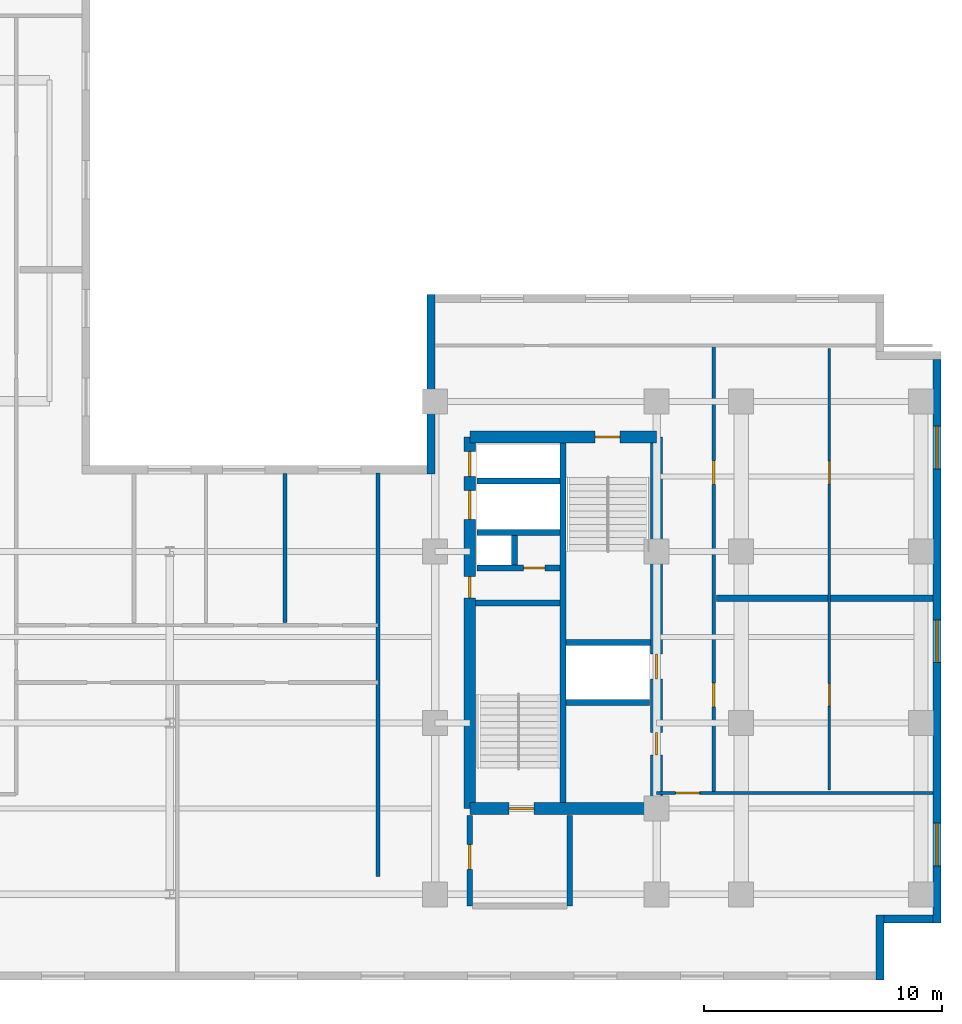
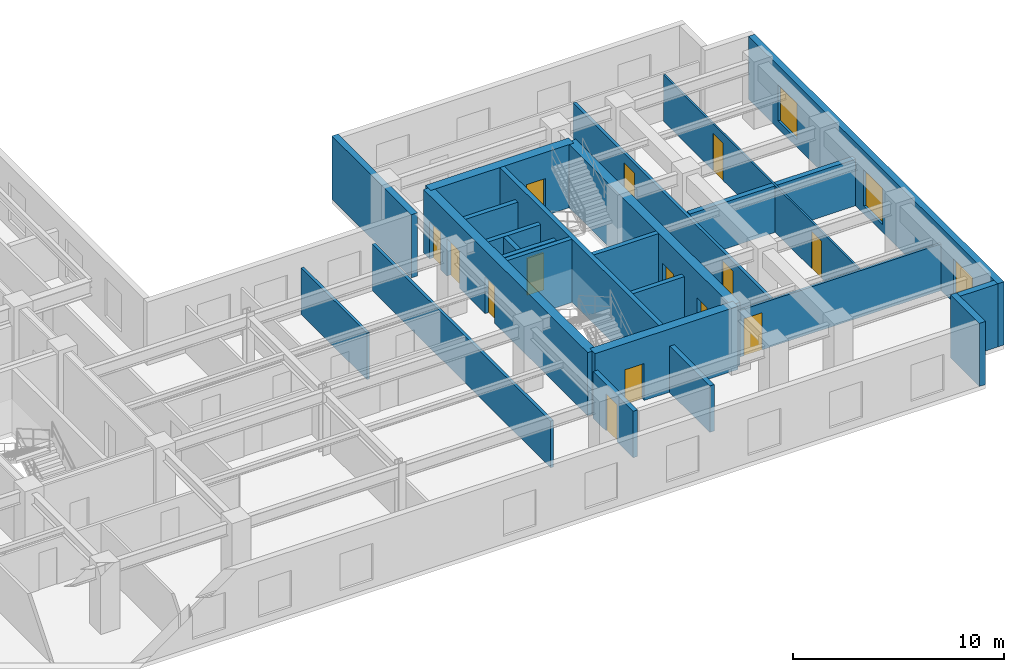
# One storey, part 5 of 10: 24 walls, 14 doors, 3 windows, 17 openings.
"""IFC4 building model written with IfcOpenShell, lengths in metres."""

from ifc_helpers import new_model, entity, si_unit, converted_unit, direction, frame, origin_with_axes, origin_2d_with_axis, place, context, subcontext, project, spatial, polyline, rectangle, outline, extrude, material, layer, layer_set, type_object, element, fill, save


model = new_model("IFC4")

# Units and contexts
model_context = context("Model", 3, precision=1e-05, world=origin_with_axes(), true_north=direction((0.0, 1.0)))
body_context = subcontext(model_context, "Body", "Model", "MODEL_VIEW")
ifc_project = project(units=[si_unit("LENGTHUNIT", "METRE"), si_unit("AREAUNIT", "SQUARE_METRE"), si_unit("VOLUMEUNIT", "CUBIC_METRE"), converted_unit("PLANEANGLEUNIT", "DEGREE", entity("IfcPlaneAngleMeasure", 0.017453292519943295), si_unit("PLANEANGLEUNIT", "RADIAN"), dimensions=[0, 0, 0, 0, 0, 0, 0]), si_unit("MASSUNIT", "GRAM", prefix="KILO"), si_unit("THERMODYNAMICTEMPERATUREUNIT", "KELVIN")], contexts=[model_context])

# Site, building, storey
site_placement = place(None, origin_with_axes())
site = spatial("IfcSite", under=ifc_project, at=site_placement, CompositionType="ELEMENT")
building_placement = place(site_placement, origin_with_axes())
building = spatial("IfcBuilding", under=site, at=building_placement, Name="Varnlund Millrace Tower", CompositionType="ELEMENT")
storey_placement = place(building_placement, frame((0.0, 0.0, 168.0), z_axis=(0.0, 0.0, 1.0), x_axis=(1.0, 0.0, 0.0)))
storey = spatial("IfcBuildingStorey", under=building, at=storey_placement, Name="L41", CompositionType="ELEMENT", Elevation=168.0)

# Wall, openings, doors
ifc_material_1 = material(Name="Concrete C70/85", Category="concrete")
ifc_layer_1 = layer(ifc_material_1, 0.5, Name="Concrete C70/85")
ifc_layer_set_1 = layer_set([ifc_layer_1], Name="Concrete C70/85")
wall_type_1 = type_object("IfcWallType", Name="Type-CoreWall-Shear-500-C70", PredefinedType="SHEAR", material=ifc_layer_set_1)
wall_1_placement = place(storey_placement, frame((40.2, 7.2, 0.0), z_axis=(0.0, 0.0, 1.0), x_axis=(0.0, 1.0, 0.0)))
wall_1 = element("IfcWall", 1, at=wall_1_placement, inside=storey, type_object=wall_type_1, Name="Type-CoreWall-Shear-500-C70", PredefinedType="SHEAR", context=body_context, shape_type="SweptSolid", body=[
    extrude(outline(polyline([(0.0, -0.25), (15.6, -0.25), (15.6, 0.25), (0.0, 0.25), (0.0, -0.25)])), origin_with_axes(), (0.0, 0.0, 1.0), 3.66),
])
opening_1_placement = place(wall_1_placement, frame((14.475, 0.0, 0.0), z_axis=(0.0, 0.0, 1.0), x_axis=(1.0, 0.0, 0.0)))
opening_1 = element("IfcOpeningElement", 2, at=opening_1_placement, cuts=wall_1, Name="Opening L41:LD-ELV-M4", PredefinedType="OPENING", context=body_context, shape_type="SweptSolid", body=[
    extrude(rectangle(XDim=1.05, YDim=0.52, at=origin_2d_with_axis()), origin_with_axes(), (0.0, 0.0, 1.0), 2.15),
])
opening_2_placement = place(wall_1_placement, frame((12.75, 0.0, 0.0), z_axis=(0.0, 0.0, 1.0), x_axis=(1.0, 0.0, 0.0)))
opening_2 = element("IfcOpeningElement", 3, at=opening_2_placement, cuts=wall_1, Name="Opening L41:LD-SRV2", PredefinedType="OPENING", context=body_context, shape_type="SweptSolid", body=[
    extrude(rectangle(XDim=1.2, YDim=0.52, at=origin_2d_with_axis()), origin_with_axes(), (0.0, 0.0, 1.0), 2.15),
])
opening_3_placement = place(wall_1_placement, frame((9.3, 0.0, 0.0), z_axis=(0.0, 0.0, 1.0), x_axis=(1.0, 0.0, 0.0)))
opening_3 = element("IfcOpeningElement", 4, at=opening_3_placement, cuts=wall_1, Name="Opening L41:DR-CB-JAN", PredefinedType="OPENING", context=body_context, shape_type="SweptSolid", body=[
    extrude(rectangle(XDim=0.9, YDim=0.52, at=origin_2d_with_axis()), origin_with_axes(), (0.0, 0.0, 1.0), 2.15),
])
ifc_material_2 = material(Name="Fire-rated hollow steel service closet door", Category="steel")
door_type_1 = type_object("IfcDoorType", Name="Type-FireDoor-Closet-900X2150", OperationType="NOTDEFINED", PredefinedType="DOOR", material=ifc_material_2)
door_1_placement = place(wall_1_placement, frame((9.3, 0.0, 0.0), z_axis=(0.0, 0.0, 1.0), x_axis=(1.0, 0.0, 0.0)))
door_1 = element("IfcDoor", 5, at=door_1_placement, inside=storey, type_object=door_type_1, Name="Type-FireDoor-Closet-900X2150", OperationType="SINGLE_SWING_RIGHT", OverallHeight=2.15, OverallWidth=0.9, PredefinedType="DOOR", context=body_context, shape_type="SweptSolid", body=[
    extrude(rectangle(XDim=0.9, YDim=0.09, at=origin_2d_with_axis()), origin_with_axes(), (0.0, 0.0, 1.0), 2.15),
])
fill(opening_3, door_1)
ifc_material_3 = material(Name="Architectural bronze sliding landing door")
door_type_2 = type_object("IfcDoorType", Name="Type-LiftLandingDoor-Compact-1050X2150", OperationType="NOTDEFINED", PredefinedType="DOOR", material=ifc_material_3)
door_2_placement = place(wall_1_placement, frame((14.475, 0.0, 0.0), z_axis=(0.0, 0.0, 1.0), x_axis=(1.0, 0.0, 0.0)))
door_2 = element("IfcDoor", 6, at=door_2_placement, inside=storey, type_object=door_type_2, Name="Type-LiftLandingDoor-Compact-1050X2150", OperationType="SLIDING_TO_RIGHT", OverallHeight=2.15, OverallWidth=1.05, PredefinedType="DOOR", context=body_context, shape_type="SweptSolid", body=[
    extrude(rectangle(XDim=1.05, YDim=0.09, at=origin_2d_with_axis()), origin_with_axes(), (0.0, 0.0, 1.0), 2.15),
])
fill(opening_1, door_2)
ifc_material_4 = material(Name="Heavy-duty freight sliding landing door")
door_type_3 = type_object("IfcDoorType", Name="Type-LiftLandingDoor-Service-1200X2150", OperationType="NOTDEFINED", PredefinedType="DOOR", material=ifc_material_4)
door_3_placement = place(wall_1_placement, frame((12.75, 0.0, 0.0), z_axis=(0.0, 0.0, 1.0), x_axis=(1.0, 0.0, 0.0)))
door_3 = element("IfcDoor", 7, at=door_3_placement, inside=storey, type_object=door_type_3, Name="Type-LiftLandingDoor-Service-1200X2150", OperationType="DOUBLE_DOOR_SLIDING", OverallHeight=2.15, OverallWidth=1.2, PredefinedType="DOOR", context=body_context, shape_type="SweptSolid", body=[
    extrude(rectangle(XDim=1.2, YDim=0.09, at=origin_2d_with_axis()), origin_with_axes(), (0.0, 0.0, 1.0), 2.15),
])
fill(opening_2, door_3)

# Wall, opening, door
wall_2_placement = place(storey_placement, frame((40.2, 7.2, 0.0), z_axis=(0.0, 0.0, 1.0), x_axis=(1.0, 0.0, 0.0)))
wall_2 = element("IfcWall", 8, at=wall_2_placement, inside=storey, type_object=wall_type_1, Name="Type-CoreWall-Shear-500-C70", PredefinedType="SHEAR", context=body_context, shape_type="SweptSolid", body=[
    extrude(outline(polyline([(0.0, -0.25), (7.85, -0.25), (7.85, 0.25), (0.0, 0.25), (0.0, -0.25)])), origin_with_axes(), (0.0, 0.0, 1.0), 3.66),
])
opening_4_placement = place(wall_2_placement, frame((2.175, 0.0, 0.0), z_axis=(0.0, 0.0, 1.0), x_axis=(1.0, 0.0, 0.0)))
opening_4 = element("IfcOpeningElement", 9, at=opening_4_placement, cuts=wall_2, Name="Opening L41:DR-STB1", PredefinedType="OPENING", context=body_context, shape_type="SweptSolid", body=[
    extrude(rectangle(XDim=1.05, YDim=0.52, at=origin_2d_with_axis()), origin_with_axes(), (0.0, 0.0, 1.0), 2.15),
])
ifc_material_5 = material(Name="Fire-rated hollow steel door", Category="steel")
door_type_4 = type_object("IfcDoorType", Name="Type-FireDoor-Stair-1050X2150", OperationType="NOTDEFINED", PredefinedType="DOOR", material=ifc_material_5)
door_4_placement = place(wall_2_placement, frame((2.175, 0.0, 0.0), z_axis=(0.0, 0.0, 1.0), x_axis=(1.0, 0.0, 0.0)))
door_4 = element("IfcDoor", 10, at=door_4_placement, inside=storey, type_object=door_type_4, Name="Type-FireDoor-Stair-1050X2150", OperationType="SINGLE_SWING_LEFT", OverallHeight=2.15, OverallWidth=1.05, PredefinedType="DOOR", context=body_context, shape_type="SweptSolid", body=[
    extrude(rectangle(XDim=1.05, YDim=0.09, at=origin_2d_with_axis()), origin_with_axes(), (0.0, 0.0, 1.0), 2.15),
])
fill(opening_4, door_4)

wall_3_placement = place(storey_placement, frame((40.2, 22.8, 0.0), z_axis=(0.0, 0.0, 1.0), x_axis=(1.0, 0.0, 0.0)))
wall_3 = element("IfcWall", 11, at=wall_3_placement, inside=storey, type_object=wall_type_1, Name="Type-CoreWall-Shear-500-C70", PredefinedType="SHEAR", context=body_context, shape_type="SweptSolid", body=[
    extrude(outline(polyline([(0.0, -0.25), (7.85, -0.25), (7.85, 0.25), (0.0, 0.25), (0.0, -0.25)])), origin_with_axes(), (0.0, 0.0, 1.0), 3.66),
])
opening_5_placement = place(wall_3_placement, frame((5.775, 0.0, 0.0), z_axis=(0.0, 0.0, 1.0), x_axis=(1.0, 0.0, 0.0)))
opening_5 = element("IfcOpeningElement", 12, at=opening_5_placement, cuts=wall_3, Name="Opening L41:DR-STB2", PredefinedType="OPENING", context=body_context, shape_type="SweptSolid", body=[
    extrude(rectangle(XDim=1.05, YDim=0.52, at=origin_2d_with_axis()), origin_with_axes(), (0.0, 0.0, 1.0), 2.15),
])
door_5_placement = place(wall_3_placement, frame((5.775, 0.0, 0.0), z_axis=(0.0, 0.0, 1.0), x_axis=(1.0, 0.0, 0.0)))
door_5 = element("IfcDoor", 13, at=door_5_placement, inside=storey, type_object=door_type_4, Name="Type-FireDoor-Stair-1050X2150", OperationType="SINGLE_SWING_RIGHT", OverallHeight=2.15, OverallWidth=1.05, PredefinedType="DOOR", context=body_context, shape_type="SweptSolid", body=[
    extrude(rectangle(XDim=1.05, YDim=0.09, at=origin_2d_with_axis()), origin_with_axes(), (0.0, 0.0, 1.0), 2.15),
])
fill(opening_5, door_5)

# Wall, openings, doors
wall_4_placement = place(storey_placement, frame((48.05, 7.2, 0.0), z_axis=(0.0, 0.0, 1.0), x_axis=(0.0, 1.0, 0.0)))
wall_4 = element("IfcWall", 14, at=wall_4_placement, inside=storey, type_object=wall_type_1, Name="Type-CoreWall-Shear-500-C70", PredefinedType="SHEAR", context=body_context, shape_type="SweptSolid", body=[
    extrude(outline(polyline([(0.0, -0.25), (15.6, -0.25), (15.6, 0.25), (0.0, 0.25), (0.0, -0.25)])), origin_with_axes(), (0.0, 0.0, 1.0), 3.66),
])
opening_6_placement = place(wall_4_placement, frame((5.975, 0.0, 0.0), z_axis=(0.0, 0.0, 1.0), x_axis=(1.0, 0.0, 0.0)))
opening_6 = element("IfcOpeningElement", 15, at=opening_6_placement, cuts=wall_4, Name="Opening L41:LD-ELV-M3", PredefinedType="OPENING", context=body_context, shape_type="SweptSolid", body=[
    extrude(rectangle(XDim=1.05, YDim=0.52, at=origin_2d_with_axis()), origin_with_axes(), (0.0, 0.0, 1.0), 2.15),
])
opening_7_placement = place(wall_4_placement, frame((2.725, 0.0, 0.0), z_axis=(0.0, 0.0, 1.0), x_axis=(1.0, 0.0, 0.0)))
opening_7 = element("IfcOpeningElement", 16, at=opening_7_placement, cuts=wall_4, Name="Opening L41:DR-CB-WC", PredefinedType="OPENING", context=body_context, shape_type="SweptSolid", body=[
    extrude(rectangle(XDim=0.95, YDim=0.52, at=origin_2d_with_axis()), origin_with_axes(), (0.0, 0.0, 1.0), 2.15),
])
ifc_material_6 = material(Name="Fire-rated hollow steel core service door", Category="steel")
door_type_5 = type_object("IfcDoorType", Name="Type-FireDoor-Service-950X2150", OperationType="NOTDEFINED", PredefinedType="DOOR", material=ifc_material_6)
door_6_placement = place(wall_4_placement, frame((2.725, 0.0, 0.0), z_axis=(0.0, 0.0, 1.0), x_axis=(1.0, 0.0, 0.0)))
door_6 = element("IfcDoor", 17, at=door_6_placement, inside=storey, type_object=door_type_5, Name="Type-FireDoor-Service-950X2150", OperationType="SINGLE_SWING_LEFT", OverallHeight=2.15, OverallWidth=0.95, PredefinedType="DOOR", context=body_context, shape_type="SweptSolid", body=[
    extrude(rectangle(XDim=0.95, YDim=0.09, at=origin_2d_with_axis()), origin_with_axes(), (0.0, 0.0, 1.0), 2.15),
])
fill(opening_7, door_6)
door_7_placement = place(wall_4_placement, frame((5.975, 0.0, 0.0), z_axis=(0.0, 0.0, 1.0), x_axis=(1.0, 0.0, 0.0)))
door_7 = element("IfcDoor", 18, at=door_7_placement, inside=storey, type_object=door_type_2, Name="Type-LiftLandingDoor-Compact-1050X2150", OperationType="SLIDING_TO_LEFT", OverallHeight=2.15, OverallWidth=1.05, PredefinedType="DOOR", context=body_context, shape_type="SweptSolid", body=[
    extrude(rectangle(XDim=1.05, YDim=0.09, at=origin_2d_with_axis()), origin_with_axes(), (0.0, 0.0, 1.0), 2.15),
])
fill(opening_6, door_7)

# Wall
ifc_material_7 = material(Name="Precast concrete C50/60", Category="concrete")
ifc_layer_2 = layer(ifc_material_7, 0.34, Name="Precast concrete C50/60")
ifc_layer_set_2 = layer_set([ifc_layer_2], Name="Precast concrete C50/60")
wall_type_2 = type_object("IfcWallType", Name="Type-ExtWall-Precast-Upper-340", PredefinedType="SOLIDWALL", material=ifc_layer_set_2)
wall_5_placement = place(storey_placement, frame((38.57, 21.26, 0.0), z_axis=(0.0, 0.0, 1.0), x_axis=(0.0, 1.0, 0.0)))
element("IfcWall", 19, at=wall_5_placement, inside=storey, type_object=wall_type_2, Name="Type-ExtWall-Precast-Upper-340", PredefinedType="SOLIDWALL", context=body_context, shape_type="SweptSolid", body=[
    extrude(outline(polyline([(0.0, -0.17), (7.54, -0.17), (7.54, 0.17), (0.0, 0.17), (0.0, -0.17)])), origin_with_axes(), (0.0, 0.0, 1.0), 3.66),
])

# Wall, openings, windows
wall_6_placement = place(storey_placement, frame((59.83, 26.06, 0.0), z_axis=(0.0, 0.0, 1.0), x_axis=(0.0, -1.0, 0.0)))
wall_6 = element("IfcWall", 20, at=wall_6_placement, inside=storey, type_object=wall_type_2, Name="Type-ExtWall-Precast-Upper-340", PredefinedType="SOLIDWALL", context=body_context, shape_type="SweptSolid", body=[
    extrude(outline(polyline([(0.0, -0.17), (23.66, -0.17), (23.66, 0.17), (0.0, 0.17), (0.0, -0.17)])), origin_with_axes(), (0.0, 0.0, 1.0), 3.66),
])
opening_8_placement = place(wall_6_placement, frame((3.696, 0.0, 0.45), z_axis=(0.0, 0.0, 1.0), x_axis=(1.0, 0.0, 0.0)))
opening_8 = element("IfcOpeningElement", 21, at=opening_8_placement, cuts=wall_6, Name="Opening L41:WN-05", PredefinedType="OPENING", context=body_context, shape_type="SweptSolid", body=[
    extrude(rectangle(XDim=1.8, YDim=0.36, at=origin_2d_with_axis()), origin_with_axes(), (0.0, 0.0, 1.0), 2.1),
])
opening_9_placement = place(wall_6_placement, frame((11.83, 0.0, 0.45), z_axis=(0.0, 0.0, 1.0), x_axis=(1.0, 0.0, 0.0)))
opening_9 = element("IfcOpeningElement", 22, at=opening_9_placement, cuts=wall_6, Name="Opening L41:WN-06", PredefinedType="OPENING", context=body_context, shape_type="SweptSolid", body=[
    extrude(rectangle(XDim=1.8, YDim=0.36, at=origin_2d_with_axis()), origin_with_axes(), (0.0, 0.0, 1.0), 2.1),
])
opening_10_placement = place(wall_6_placement, frame((20.364, 0.0, 0.45), z_axis=(0.0, 0.0, 1.0), x_axis=(1.0, 0.0, 0.0)))
opening_10 = element("IfcOpeningElement", 23, at=opening_10_placement, cuts=wall_6, Name="Opening L41:WN-07", PredefinedType="OPENING", context=body_context, shape_type="SweptSolid", body=[
    extrude(rectangle(XDim=1.8, YDim=0.36, at=origin_2d_with_axis()), origin_with_axes(), (0.0, 0.0, 1.0), 2.1),
])
ifc_material_8 = material(Name="Argon low-e triple glazing in thermally broken bronze frame", Category="glass")
window_type = type_object("IfcWindowType", Name="Type-Window-Punched-1800X2100", PartitioningType="SINGLE_PANEL", PredefinedType="WINDOW", material=ifc_material_8)
window_1_placement = place(wall_6_placement, frame((3.696, 0.0, 0.45), z_axis=(0.0, 0.0, 1.0), x_axis=(1.0, 0.0, 0.0)))
window_1 = element("IfcWindow", 24, at=window_1_placement, inside=storey, type_object=window_type, Name="Type-Window-Punched-1800X2100", OverallHeight=2.1, OverallWidth=1.8, PredefinedType="WINDOW", context=body_context, shape_type="SweptSolid", body=[
    extrude(rectangle(XDim=1.8, YDim=0.09, at=origin_2d_with_axis()), origin_with_axes(), (0.0, 0.0, 1.0), 2.1),
])
fill(opening_8, window_1)
window_2_placement = place(wall_6_placement, frame((11.83, 0.0, 0.45), z_axis=(0.0, 0.0, 1.0), x_axis=(1.0, 0.0, 0.0)))
window_2 = element("IfcWindow", 25, at=window_2_placement, inside=storey, type_object=window_type, Name="Type-Window-Punched-1800X2100", OverallHeight=2.1, OverallWidth=1.8, PredefinedType="WINDOW", context=body_context, shape_type="SweptSolid", body=[
    extrude(rectangle(XDim=1.8, YDim=0.09, at=origin_2d_with_axis()), origin_with_axes(), (0.0, 0.0, 1.0), 2.1),
])
fill(opening_9, window_2)
window_3_placement = place(wall_6_placement, frame((20.364, 0.0, 0.45), z_axis=(0.0, 0.0, 1.0), x_axis=(1.0, 0.0, 0.0)))
window_3 = element("IfcWindow", 26, at=window_3_placement, inside=storey, type_object=window_type, Name="Type-Window-Punched-1800X2100", OverallHeight=2.1, OverallWidth=1.8, PredefinedType="WINDOW", context=body_context, shape_type="SweptSolid", body=[
    extrude(rectangle(XDim=1.8, YDim=0.09, at=origin_2d_with_axis()), origin_with_axes(), (0.0, 0.0, 1.0), 2.1),
])
fill(opening_10, window_3)

# Walls
wall_7_placement = place(storey_placement, frame((59.66, 2.57, 0.0), z_axis=(0.0, 0.0, 1.0), x_axis=(-1.0, 0.0, 0.0)))
element("IfcWall", 27, at=wall_7_placement, inside=storey, type_object=wall_type_2, Name="Type-ExtWall-Precast-Upper-340", PredefinedType="SOLIDWALL", context=body_context, shape_type="SweptSolid", body=[
    extrude(outline(polyline([(0.0, -0.17), (2.06, -0.17), (2.06, 0.17), (0.0, 0.17), (0.0, -0.17)])), origin_with_axes(), (0.0, 0.0, 1.0), 3.66),
])
wall_8_placement = place(storey_placement, frame((57.43, 2.74, 0.0), z_axis=(0.0, 0.0, 1.0), x_axis=(0.0, -1.0, 0.0)))
element("IfcWall", 28, at=wall_8_placement, inside=storey, type_object=wall_type_2, Name="Type-ExtWall-Precast-Upper-340", PredefinedType="SOLIDWALL", context=body_context, shape_type="SweptSolid", body=[
    extrude(outline(polyline([(0.0, -0.17), (2.74, -0.17), (2.74, 0.17), (0.0, 0.17), (0.0, -0.17)])), origin_with_axes(), (0.0, 0.0, 1.0), 3.66),
])
ifc_material_9 = material(Name="Double-stud STC-60 conference acoustic partition", Category="gypsum")
ifc_layer_3 = layer(ifc_material_9, 0.28, Name="Double-stud STC-60 conference acoustic partition")
ifc_layer_set_3 = layer_set([ifc_layer_3], Name="Double-stud STC-60 conference acoustic partition")
wall_type_3 = type_object("IfcWallType", Name="Type-Partition-Acoustic-280", PredefinedType="PARTITIONING", material=ifc_layer_set_3)
wall_9_placement = place(storey_placement, frame((50.57, 16.035, 0.0), z_axis=(0.0, 0.0, 1.0), x_axis=(1.0, 0.0, 0.0)))
element("IfcWall", 29, at=wall_9_placement, inside=storey, type_object=wall_type_3, Name="Type-Partition-Acoustic-280", PredefinedType="PARTITIONING", context=body_context, shape_type="SweptSolid", body=[
    extrude(outline(polyline([(0.0, -0.14), (9.095, -0.14), (9.095, 0.14), (0.0, 0.14), (0.0, -0.14)])), origin_with_axes(), (0.0, 0.0, 1.0), 2.7),
])
ifc_material_10 = material(Name="Fire-rated gypsum board on cold-formed steel framing", Category="steel")
ifc_layer_4 = layer(ifc_material_10, 0.16, Name="Fire-rated gypsum board on cold-formed steel framing")
ifc_layer_set_4 = layer_set([ifc_layer_4], Name="Fire-rated gypsum board on cold-formed steel framing")
wall_type_4 = type_object("IfcWallType", Name="Type-Partition-Corridor-160", PredefinedType="PARTITIONING", material=ifc_layer_set_4)
wall_10_placement = place(storey_placement, frame((36.35, 4.35, 0.0), z_axis=(0.0, 0.0, 1.0), x_axis=(0.0, 1.0, 0.0)))
element("IfcWall", 30, at=wall_10_placement, inside=storey, type_object=wall_type_4, Name="Type-Partition-Corridor-160", PredefinedType="PARTITIONING", context=body_context, shape_type="SweptSolid", body=[
    extrude(outline(polyline([(0.0, -0.08), (16.95, -0.08), (16.95, 0.08), (0.0, 0.08), (0.0, -0.08)])), origin_with_axes(), (0.0, 0.0, 1.0), 2.7),
])

# Wall, openings, doors
wall_11_placement = place(storey_placement, frame((50.45, 7.85, 0.0), z_axis=(0.0, 0.0, 1.0), x_axis=(0.0, 1.0, 0.0)))
wall_11 = element("IfcWall", 31, at=wall_11_placement, inside=storey, type_object=wall_type_4, Name="Type-Partition-Corridor-160", PredefinedType="PARTITIONING", context=body_context, shape_type="SweptSolid", body=[
    extrude(outline(polyline([(0.0, -0.08), (18.8, -0.08), (18.8, 0.08), (0.0, 0.08), (0.0, -0.08)])), origin_with_axes(), (0.0, 0.0, 1.0), 2.7),
])
opening_11_placement = place(wall_11_placement, frame((4.1225, 0.0, 0.0), z_axis=(0.0, 0.0, 1.0), x_axis=(1.0, 0.0, 0.0)))
opening_11 = element("IfcOpeningElement", 32, at=opening_11_placement, cuts=wall_11, Name="Opening L41:DR-WB-01", PredefinedType="OPENING", context=body_context, shape_type="SweptSolid", body=[
    extrude(rectangle(XDim=1.0, YDim=0.18, at=origin_2d_with_axis()), origin_with_axes(), (0.0, 0.0, 1.0), 2.15),
])
opening_12_placement = place(wall_11_placement, frame((13.4625, 0.0, 0.0), z_axis=(0.0, 0.0, 1.0), x_axis=(1.0, 0.0, 0.0)))
opening_12 = element("IfcOpeningElement", 33, at=opening_12_placement, cuts=wall_11, Name="Opening L41:DR-WB-02", PredefinedType="OPENING", context=body_context, shape_type="SweptSolid", body=[
    extrude(rectangle(XDim=1.0, YDim=0.18, at=origin_2d_with_axis()), origin_with_axes(), (0.0, 0.0, 1.0), 2.15),
])
ifc_material_11 = material(Name="Solid-core white oak and bronze frame door")
door_type_6 = type_object("IfcDoorType", Name="Type-IntDoor-Office-1000X2150", OperationType="NOTDEFINED", PredefinedType="DOOR", material=ifc_material_11)
door_8_placement = place(wall_11_placement, frame((4.1225, 0.0, 0.0), z_axis=(0.0, 0.0, 1.0), x_axis=(1.0, 0.0, 0.0)))
door_8 = element("IfcDoor", 34, at=door_8_placement, inside=storey, type_object=door_type_6, Name="Type-IntDoor-Office-1000X2150", OperationType="SINGLE_SWING_LEFT", OverallHeight=2.15, OverallWidth=1.0, PredefinedType="DOOR", context=body_context, shape_type="SweptSolid", body=[
    extrude(rectangle(XDim=1.0, YDim=0.09, at=origin_2d_with_axis()), origin_with_axes(), (0.0, 0.0, 1.0), 2.15),
])
fill(opening_11, door_8)
door_9_placement = place(wall_11_placement, frame((13.4625, 0.0, 0.0), z_axis=(0.0, 0.0, 1.0), x_axis=(1.0, 0.0, 0.0)))
door_9 = element("IfcDoor", 35, at=door_9_placement, inside=storey, type_object=door_type_6, Name="Type-IntDoor-Office-1000X2150", OperationType="SINGLE_SWING_RIGHT", OverallHeight=2.15, OverallWidth=1.0, PredefinedType="DOOR", context=body_context, shape_type="SweptSolid", body=[
    extrude(rectangle(XDim=1.0, YDim=0.09, at=origin_2d_with_axis()), origin_with_axes(), (0.0, 0.0, 1.0), 2.15),
])
fill(opening_12, door_9)

# Wall
ifc_material_12 = material(Name="Acoustic STC-50 gypsum board partition", Category="gypsum")
ifc_layer_5 = layer(ifc_material_12, 0.15, Name="Acoustic STC-50 gypsum board partition")
ifc_layer_set_5 = layer_set([ifc_layer_5], Name="Acoustic STC-50 gypsum board partition")
wall_type_5 = type_object("IfcWallType", Name="Type-Partition-Demising-150", PredefinedType="PARTITIONING", material=ifc_layer_set_5)
wall_12_placement = place(storey_placement, frame((32.439, 15.02, 0.0), z_axis=(0.0, 0.0, 1.0), x_axis=(0.0, 1.0, 0.0)))
element("IfcWall", 36, at=wall_12_placement, inside=storey, type_object=wall_type_5, Name="Type-Partition-Demising-150", PredefinedType="PARTITIONING", context=body_context, shape_type="SweptSolid", body=[
    extrude(outline(polyline([(0.0, -0.075), (6.245, -0.075), (6.245, 0.075), (0.0, 0.075), (0.0, -0.075)])), origin_with_axes(), (0.0, 0.0, 1.0), 2.7),
])

# Wall, openings, doors
ifc_material_13 = material(Name="Architectural bronze and acoustic glass office front", Category="glass")
ifc_layer_6 = layer(ifc_material_13, 0.1, Name="Architectural bronze and acoustic glass office front")
ifc_layer_set_6 = layer_set([ifc_layer_6], Name="Architectural bronze and acoustic glass office front")
wall_type_6 = type_object("IfcWallType", Name="Type-Partition-Glazed-100", PredefinedType="PARTITIONING", material=ifc_layer_set_6)
wall_13_placement = place(storey_placement, frame((55.3, 7.98, 0.0), z_axis=(0.0, 0.0, 1.0), x_axis=(0.0, 1.0, 0.0)))
wall_13 = element("IfcWall", 37, at=wall_13_placement, inside=storey, type_object=wall_type_6, Name="Type-Partition-Glazed-100", PredefinedType="PARTITIONING", context=body_context, shape_type="SweptSolid", body=[
    extrude(outline(polyline([(0.0, -0.05), (18.54, -0.05), (18.54, 0.05), (0.0, 0.05), (0.0, -0.05)])), origin_with_axes(), (0.0, 0.0, 1.0), 2.7),
])
opening_13_placement = place(wall_13_placement, frame((3.9925, 0.0, 0.0), z_axis=(0.0, 0.0, 1.0), x_axis=(1.0, 0.0, 0.0)))
opening_13 = element("IfcOpeningElement", 38, at=opening_13_placement, cuts=wall_13, Name="Opening L41:DR-WB-S01", PredefinedType="OPENING", context=body_context, shape_type="SweptSolid", body=[
    extrude(rectangle(XDim=0.95, YDim=0.12, at=origin_2d_with_axis()), origin_with_axes(), (0.0, 0.0, 1.0), 2.15),
])
opening_14_placement = place(wall_13_placement, frame((13.3325, 0.0, 0.0), z_axis=(0.0, 0.0, 1.0), x_axis=(1.0, 0.0, 0.0)))
opening_14 = element("IfcOpeningElement", 39, at=opening_14_placement, cuts=wall_13, Name="Opening L41:DR-WB-S02", PredefinedType="OPENING", context=body_context, shape_type="SweptSolid", body=[
    extrude(rectangle(XDim=0.95, YDim=0.12, at=origin_2d_with_axis()), origin_with_axes(), (0.0, 0.0, 1.0), 2.15),
])
ifc_material_14 = material(Name="Solid-core acoustic office door")
door_type_7 = type_object("IfcDoorType", Name="Type-IntDoor-Tenant-950X2150", OperationType="NOTDEFINED", PredefinedType="DOOR", material=ifc_material_14)
door_10_placement = place(wall_13_placement, frame((3.9925, 0.0, 0.0), z_axis=(0.0, 0.0, 1.0), x_axis=(1.0, 0.0, 0.0)))
door_10 = element("IfcDoor", 40, at=door_10_placement, inside=storey, type_object=door_type_7, Name="Type-IntDoor-Tenant-950X2150", OperationType="SINGLE_SWING_LEFT", OverallHeight=2.15, OverallWidth=0.95, PredefinedType="DOOR", context=body_context, shape_type="SweptSolid", body=[
    extrude(rectangle(XDim=0.95, YDim=0.06, at=origin_2d_with_axis()), origin_with_axes(), (0.0, 0.0, 1.0), 2.15),
])
fill(opening_13, door_10)
door_11_placement = place(wall_13_placement, frame((13.3325, 0.0, 0.0), z_axis=(0.0, 0.0, 1.0), x_axis=(1.0, 0.0, 0.0)))
door_11 = element("IfcDoor", 41, at=door_11_placement, inside=storey, type_object=door_type_7, Name="Type-IntDoor-Tenant-950X2150", OperationType="SINGLE_SWING_LEFT", OverallHeight=2.15, OverallWidth=0.95, PredefinedType="DOOR", context=body_context, shape_type="SweptSolid", body=[
    extrude(rectangle(XDim=0.95, YDim=0.06, at=origin_2d_with_axis()), origin_with_axes(), (0.0, 0.0, 1.0), 2.15),
])
fill(opening_14, door_11)

# Wall, opening, door
ifc_material_15 = material(Name="Gypsum board tenant partition", Category="gypsum")
ifc_layer_7 = layer(ifc_material_15, 0.125, Name="Gypsum board tenant partition")
ifc_layer_set_7 = layer_set([ifc_layer_7], Name="Gypsum board tenant partition")
wall_type_7 = type_object("IfcWallType", Name="Type-Partition-Tenant-125", PredefinedType="PARTITIONING", material=ifc_layer_set_7)
wall_14_placement = place(storey_placement, frame((59.665, 7.85, 0.0), z_axis=(0.0, 0.0, 1.0), x_axis=(-1.0, 0.0, 0.0)))
wall_14 = element("IfcWall", 42, at=wall_14_placement, inside=storey, type_object=wall_type_7, Name="Type-Partition-Tenant-125", PredefinedType="PARTITIONING", context=body_context, shape_type="SweptSolid", body=[
    extrude(outline(polyline([(0.0, -0.0625), (11.615, -0.0625), (11.615, 0.0625), (0.0, 0.0625), (0.0, -0.0625)])), origin_with_axes(), (0.0, 0.0, 1.0), 2.7),
])
opening_15_placement = place(wall_14_placement, frame((10.315, 0.0, 0.0), z_axis=(0.0, 0.0, 1.0), x_axis=(1.0, 0.0, 0.0)))
opening_15 = element("IfcOpeningElement", 43, at=opening_15_placement, cuts=wall_14, Name="Opening L41:DR-WBS-01", PredefinedType="OPENING", context=body_context, shape_type="SweptSolid", body=[
    extrude(rectangle(XDim=1.0, YDim=0.145, at=origin_2d_with_axis()), origin_with_axes(), (0.0, 0.0, 1.0), 2.15),
])
door_12_placement = place(wall_14_placement, frame((10.315, 0.0, 0.0), z_axis=(0.0, 0.0, 1.0), x_axis=(1.0, 0.0, 0.0)))
door_12 = element("IfcDoor", 44, at=door_12_placement, inside=storey, type_object=door_type_6, Name="Type-IntDoor-Office-1000X2150", OperationType="SINGLE_SWING_LEFT", OverallHeight=2.15, OverallWidth=1.0, PredefinedType="DOOR", context=body_context, shape_type="SweptSolid", body=[
    extrude(rectangle(XDim=1.0, YDim=0.075, at=origin_2d_with_axis()), origin_with_axes(), (0.0, 0.0, 1.0), 2.15),
])
fill(opening_15, door_12)

ifc_material_16 = material(Name="Concrete C60/75", Category="concrete")
ifc_layer_8 = layer(ifc_material_16, 0.25, Name="Concrete C60/75")
ifc_layer_set_8 = layer_set([ifc_layer_8], Name="Concrete C60/75")
wall_type_8 = type_object("IfcWallType", Name="Type-ShaftWall-Fire-250", PredefinedType="SOLIDWALL", material=ifc_layer_set_8)
wall_15_placement = place(storey_placement, frame((40.5, 17.3, 0.0), z_axis=(0.0, 0.0, 1.0), x_axis=(1.0, 0.0, 0.0)))
wall_15 = element("IfcWall", 45, at=wall_15_placement, inside=storey, type_object=wall_type_8, Name="Type-ShaftWall-Fire-250", PredefinedType="SOLIDWALL", context=body_context, shape_type="SweptSolid", body=[
    extrude(outline(polyline([(0.0, -0.125), (3.5, -0.125), (3.5, 0.125), (0.0, 0.125), (0.0, -0.125)])), origin_with_axes(), (0.0, 0.0, 1.0), 2.7),
])
opening_16_placement = place(wall_15_placement, frame((2.4, 0.0, 0.0), z_axis=(0.0, 0.0, 1.0), x_axis=(1.0, 0.0, 0.0)))
opening_16 = element("IfcOpeningElement", 46, at=opening_16_placement, cuts=wall_15, Name="Opening L41:DR-CB-ELC", PredefinedType="OPENING", context=body_context, shape_type="SweptSolid", body=[
    extrude(rectangle(XDim=0.9, YDim=0.27, at=origin_2d_with_axis()), origin_with_axes(), (0.0, 0.0, 1.0), 2.15),
])
door_13_placement = place(wall_15_placement, frame((2.4, 0.0, 0.0), z_axis=(0.0, 0.0, 1.0), x_axis=(1.0, 0.0, 0.0)))
door_13 = element("IfcDoor", 47, at=door_13_placement, inside=storey, type_object=door_type_1, Name="Type-FireDoor-Closet-900X2150", OperationType="SINGLE_SWING_LEFT", OverallHeight=2.15, OverallWidth=0.9, PredefinedType="DOOR", context=body_context, shape_type="SweptSolid", body=[
    extrude(rectangle(XDim=0.9, YDim=0.09, at=origin_2d_with_axis()), origin_with_axes(), (0.0, 0.0, 1.0), 2.15),
])
fill(opening_16, door_13)

# Walls
wall_16_placement = place(storey_placement, frame((40.5, 18.8, 0.0), z_axis=(0.0, 0.0, 1.0), x_axis=(1.0, 0.0, 0.0)))
element("IfcWall", 48, at=wall_16_placement, inside=storey, type_object=wall_type_8, Name="Type-ShaftWall-Fire-250", PredefinedType="SOLIDWALL", context=body_context, shape_type="SweptSolid", body=[
    extrude(outline(polyline([(0.0, -0.125), (3.5, -0.125), (3.5, 0.125), (0.0, 0.125), (0.0, -0.125)])), origin_with_axes(), (0.0, 0.0, 1.0), 2.7),
])
wall_17_placement = place(storey_placement, frame((42.075, 17.43, 0.0), z_axis=(0.0, 0.0, 1.0), x_axis=(0.0, 1.0, 0.0)))
element("IfcWall", 49, at=wall_17_placement, inside=storey, type_object=wall_type_8, Name="Type-ShaftWall-Fire-250", PredefinedType="SOLIDWALL", context=body_context, shape_type="SweptSolid", body=[
    extrude(outline(polyline([(0.0, -0.125), (1.24, -0.125), (1.24, 0.125), (0.0, 0.125), (0.0, -0.125)])), origin_with_axes(), (0.0, 0.0, 1.0), 2.7),
])

# Wall, opening, door
wall_18_placement = place(storey_placement, frame((40.2, 3.1, 0.0), z_axis=(0.0, 0.0, 1.0), x_axis=(0.0, 1.0, 0.0)))
wall_18 = element("IfcWall", 50, at=wall_18_placement, inside=storey, type_object=wall_type_8, Name="Type-ShaftWall-Fire-250", PredefinedType="SOLIDWALL", context=body_context, shape_type="SweptSolid", body=[
    extrude(outline(polyline([(0.0, -0.125), (3.8, -0.125), (3.8, 0.125), (0.0, 0.125), (0.0, -0.125)])), origin_with_axes(), (0.0, 0.0, 1.0), 2.7),
])
opening_17_placement = place(wall_18_placement, frame((2.075, 0.0, 0.0), z_axis=(0.0, 0.0, 1.0), x_axis=(1.0, 0.0, 0.0)))
opening_17 = element("IfcOpeningElement", 51, at=opening_17_placement, cuts=wall_18, Name="Opening L41:DR-FFLOB-B", PredefinedType="OPENING", context=body_context, shape_type="SweptSolid", body=[
    extrude(rectangle(XDim=1.05, YDim=0.27, at=origin_2d_with_axis()), origin_with_axes(), (0.0, 0.0, 1.0), 2.15),
])
ifc_material_17 = material(Name="Smoke-barrier hollow steel fire door", Category="steel")
door_type_8 = type_object("IfcDoorType", Name="Type-FireDoor-Lobby-1050X2150", OperationType="NOTDEFINED", PredefinedType="DOOR", material=ifc_material_17)
door_14_placement = place(wall_18_placement, frame((2.075, 0.0, 0.0), z_axis=(0.0, 0.0, 1.0), x_axis=(1.0, 0.0, 0.0)))
door_14 = element("IfcDoor", 52, at=door_14_placement, inside=storey, type_object=door_type_8, Name="Type-FireDoor-Lobby-1050X2150", OperationType="SINGLE_SWING_LEFT", OverallHeight=2.15, OverallWidth=1.05, PredefinedType="DOOR", context=body_context, shape_type="SweptSolid", body=[
    extrude(rectangle(XDim=1.05, YDim=0.09, at=origin_2d_with_axis()), origin_with_axes(), (0.0, 0.0, 1.0), 2.15),
])
fill(opening_17, door_14)

# Walls
wall_19_placement = place(storey_placement, frame((44.4, 3.1, 0.0), z_axis=(0.0, 0.0, 1.0), x_axis=(0.0, 1.0, 0.0)))
element("IfcWall", 53, at=wall_19_placement, inside=storey, type_object=wall_type_8, Name="Type-ShaftWall-Fire-250", PredefinedType="SOLIDWALL", context=body_context, shape_type="SweptSolid", body=[
    extrude(outline(polyline([(0.0, -0.125), (3.8, -0.125), (3.8, 0.125), (0.0, 0.125), (0.0, -0.125)])), origin_with_axes(), (0.0, 0.0, 1.0), 2.7),
])
for number, where, z_axis, x_axis, name in (
    (54, (40.5, 20.96, 0.0), (0.0, 0.0, 1.0), (1.0, 0.0, 0.0), "Type-ShaftWall-Fire-250"),
    (55, (44.25, 11.66, 0.0), (0.0, 0.0, 1.0), (1.0, 0.0, 0.0), "Type-ShaftWall-Fire-250"),
):
    element("IfcWall", number, at=place(storey_placement, frame(where, z_axis=z_axis, x_axis=x_axis)), inside=storey, type_object=wall_type_8, Name=name, PredefinedType="SOLIDWALL", context=body_context, shape_type="SweptSolid", body=[
        extrude(outline(polyline([(0.0, -0.125), (3.5, -0.125), (3.5, 0.125), (0.0, 0.125), (0.0, -0.125)])), origin_with_axes(), (0.0, 0.0, 1.0), 2.7),
    ])
wall_type_9 = type_object("IfcWallType", Name="Type-StairWall-Shear-250", PredefinedType="SHEAR", material=ifc_layer_set_8)
wall_20_placement = place(storey_placement, frame((44.125, 7.45, 0.0), z_axis=(0.0, 0.0, 1.0), x_axis=(0.0, 1.0, 0.0)))
element("IfcWall", 56, at=wall_20_placement, inside=storey, type_object=wall_type_9, Name="Type-StairWall-Shear-250", PredefinedType="SHEAR", context=body_context, shape_type="SweptSolid", body=[
    extrude(outline(polyline([(0.0, -0.125), (15.1, -0.125), (15.1, 0.125), (0.0, 0.125), (0.0, -0.125)])), origin_with_axes(), (0.0, 0.0, 1.0), 3.66),
])
for number, where, z_axis, x_axis, name in (
    (57, (40.45, 15.825, 0.0), (0.0, 0.0, 1.0), (1.0, 0.0, 0.0), "Type-StairWall-Shear-250"),
    (58, (44.25, 14.175, 0.0), (0.0, 0.0, 1.0), (1.0, 0.0, 0.0), "Type-StairWall-Shear-250"),
):
    element("IfcWall", number, at=place(storey_placement, frame(where, z_axis=z_axis, x_axis=x_axis)), inside=storey, type_object=wall_type_9, Name=name, PredefinedType="SHEAR", context=body_context, shape_type="SweptSolid", body=[
        extrude(outline(polyline([(0.0, -0.125), (3.55, -0.125), (3.55, 0.125), (0.0, 0.125), (0.0, -0.125)])), origin_with_axes(), (0.0, 0.0, 1.0), 3.66),
    ])

save(model, "model.ifc")
